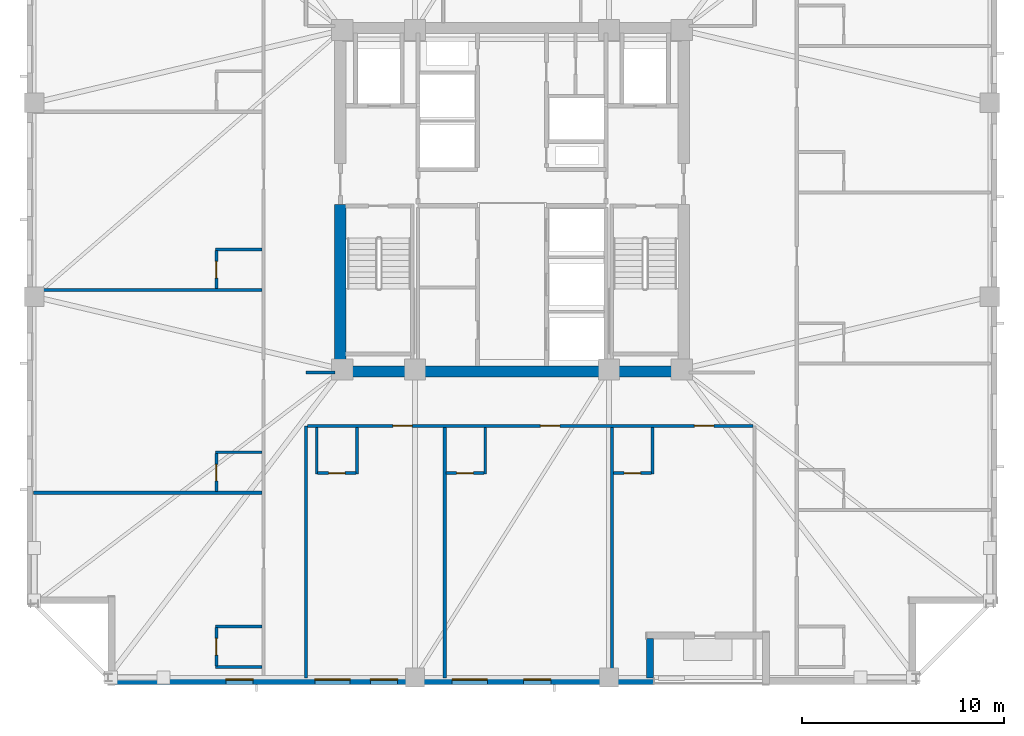
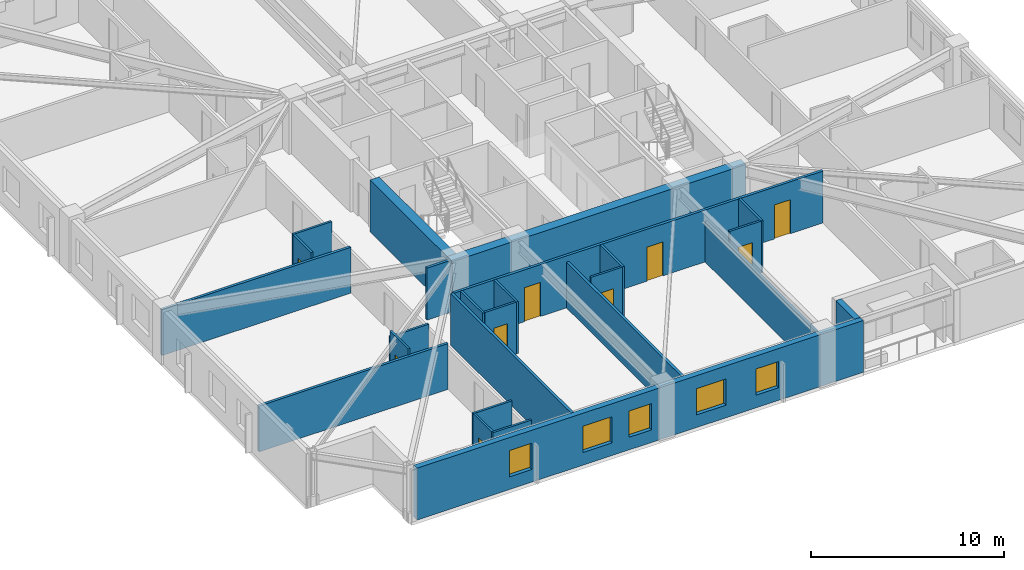
# One storey, part 2 of 11: 25 walls, 9 doors, 5 windows, 14 openings.
"""IFC4 building model written with IfcOpenShell, lengths in metres."""

from ifc_helpers import new_model, si_unit, direction, frame, frame_2d, origin, place, context, subcontext, project, spatial, rectangle, extrude, material, layer, layer_set, type_object, element, fill, save


model = new_model("IFC4")

# Units and contexts
model_context = context("Model", 3, precision=1e-05, world=origin(), true_north=direction((0.0, 1.0)))
body_context = subcontext(model_context, "Body", "Model", "MODEL_VIEW")
ifc_project = project(units=[si_unit("LENGTHUNIT", "METRE"), si_unit("AREAUNIT", "SQUARE_METRE"), si_unit("VOLUMEUNIT", "CUBIC_METRE"), si_unit("PLANEANGLEUNIT", "RADIAN"), si_unit("MASSUNIT", "GRAM", prefix="KILO")], contexts=[model_context])

# Site, building, storey
site_placement = place(None, origin())
site = spatial("IfcSite", under=ifc_project, at=site_placement, CompositionType="ELEMENT")
building_placement = place(site_placement, origin())
building = spatial("IfcBuilding", under=site, at=building_placement, Name="Cairnveth Concourse Tower", CompositionType="ELEMENT")
storey_placement = place(building_placement, frame((0.0, 0.0, 169.0)))
storey = spatial("IfcBuildingStorey", under=building, at=storey_placement, Name="L46", CompositionType="ELEMENT", Elevation=169.0)

# Walls
ifc_material_1 = material(Name="Gypsum Plasterboard Partition", Category="gypsum")
ifc_layer_1 = layer(ifc_material_1, 0.159912109375)
ifc_layer_set_1 = layer_set([ifc_layer_1], Name="Gypsum Plasterboard Partition")
wall_type_1 = type_object("IfcWallType", Name="ACOUSTIC PARTY WALL 180", PredefinedType="PARTITIONING", material=ifc_layer_set_1)
wall_1_placement = place(storey_placement, frame((41.800048828125, 15.324951171875, 0.0), z_axis=(0.0, 0.0, 1.0), x_axis=(0.0, 1.0, 0.0)))
element("IfcWall", 1, at=wall_1_placement, inside=storey, type_object=wall_type_1, Name="Interior Wall IW-L46-038", PredefinedType="PARTITIONING", context=body_context, shape_type="SweptSolid", body=[
    extrude(rectangle(XDim=12.47509765625, YDim=0.159912109375, at=frame_2d((6.237548828125, 0.0))), origin(), (0.0, 0.0, 1.0), 3.280029296875),
])
wall_2_placement = place(storey_placement, frame((41.800048828125, 30.449951171875, 0.0), z_axis=(0.0, 0.0, 1.0), x_axis=(1.0, 0.0, 0.0)))
element("IfcWall", 2, at=wall_2_placement, inside=storey, type_object=wall_type_1, Name="Interior Wall IW-L46-040", PredefinedType="PARTITIONING", context=body_context, shape_type="SweptSolid", body=[
    extrude(rectangle(XDim=1.43505859375, YDim=0.159912109375, at=frame_2d((0.717529296875, 0.0))), origin(), (0.0, 0.0, 1.0), 3.280029296875),
])

# Wall, openings, doors
wall_3_placement = place(storey_placement, frame((41.864990234375, 27.800048828125, 0.0), z_axis=(0.0, 0.0, 1.0), x_axis=(1.0, 0.0, 0.0)))
wall_3 = element("IfcWall", 3, at=wall_3_placement, inside=storey, type_object=wall_type_1, Name="Interior Wall IW-L46-047", PredefinedType="PARTITIONING", context=body_context, shape_type="SweptSolid", body=[
    extrude(rectangle(XDim=22.070068359375, YDim=0.159912109375, at=frame_2d((11.03515625, 0.0))), origin(), (0.0, 0.0, 1.0), 3.280029296875),
])
opening_1_placement = place(wall_3_placement, frame((4.232177734375, 0.0, 0.0)))
opening_1 = element("IfcOpeningElement", 4, at=opening_1_placement, cuts=wall_3, Name="Opening ID09", PredefinedType="OPENING", context=body_context, shape_type="SweptSolid", body=[
    extrude(rectangle(XDim=0.9599609375, YDim=2.14990234375, at=frame_2d((0.47998046875, 1.074951171875))), frame((0.0, 0.08984375, 0.0), z_axis=(0.0, -1.0, 0.0), x_axis=(1.0, 0.0, 0.0)), (0.0, 0.0, 1.0), 0.179931640625),
])
opening_2_placement = place(wall_3_placement, frame((11.544921875, 0.0, 0.0)))
opening_2 = element("IfcOpeningElement", 5, at=opening_2_placement, cuts=wall_3, Name="Opening ID09", PredefinedType="OPENING", context=body_context, shape_type="SweptSolid", body=[
    extrude(rectangle(XDim=0.9599609375, YDim=2.14990234375, at=frame_2d((0.47998046875, 1.074951171875))), frame((0.0, 0.08984375, 0.0), z_axis=(0.0, -1.0, 0.0), x_axis=(1.0, 0.0, 0.0)), (0.0, 0.0, 1.0), 0.179931640625),
])
opening_3_placement = place(wall_3_placement, frame((19.16796875, 0.0, 0.0)))
opening_3 = element("IfcOpeningElement", 6, at=opening_3_placement, cuts=wall_3, Name="Opening ID09", PredefinedType="OPENING", context=body_context, shape_type="SweptSolid", body=[
    extrude(rectangle(XDim=0.9599609375, YDim=2.14990234375, at=frame_2d((0.47998046875, 1.074951171875))), frame((0.0, 0.08984375, 0.0), z_axis=(0.0, -1.0, 0.0), x_axis=(1.0, 0.0, 0.0)), (0.0, 0.0, 1.0), 0.179931640625),
])
ifc_material_2 = material(Name="Solid Core Hardwood Timber Leaf", Category="wood")
door_type_1 = type_object("IfcDoorType", Name="HOTEL ENTRANCE DOOR 960X2150", OperationType="NOTDEFINED", PredefinedType="DOOR", material=ifc_material_2)
door_1_placement = place(opening_1_placement, origin())
door_1 = element("IfcDoor", 7, at=door_1_placement, inside=storey, type_object=door_type_1, Name="Hotel Room Door L46-S1", OperationType="SINGLE_SWING_RIGHT", OverallHeight=2.14990234375, OverallWidth=0.9599609375, PredefinedType="DOOR", context=body_context, shape_type="SweptSolid", body=[
    extrude(rectangle(XDim=0.9599609375, YDim=2.14990234375, at=frame_2d((0.47998046875, 1.074951171875))), frame((0.0, 0.02490234375, 0.0), z_axis=(0.0, -1.0, 0.0), x_axis=(1.0, 0.0, 0.0)), (0.0, 0.0, 1.0), 0.050048828125),
])
fill(opening_1, door_1)
door_2_placement = place(opening_2_placement, origin())
door_2 = element("IfcDoor", 8, at=door_2_placement, inside=storey, type_object=door_type_1, Name="Hotel Room Door L46-S2", OperationType="SINGLE_SWING_RIGHT", OverallHeight=2.14990234375, OverallWidth=0.9599609375, PredefinedType="DOOR", context=body_context, shape_type="SweptSolid", body=[
    extrude(rectangle(XDim=0.9599609375, YDim=2.14990234375, at=frame_2d((0.47998046875, 1.074951171875))), frame((0.0, 0.02490234375, 0.0), z_axis=(0.0, -1.0, 0.0), x_axis=(1.0, 0.0, 0.0)), (0.0, 0.0, 1.0), 0.050048828125),
])
fill(opening_2, door_2)
door_3_placement = place(opening_3_placement, origin())
door_3 = element("IfcDoor", 9, at=door_3_placement, inside=storey, type_object=door_type_1, Name="Hotel Room Door L46-S3", OperationType="SINGLE_SWING_RIGHT", OverallHeight=2.14990234375, OverallWidth=0.9599609375, PredefinedType="DOOR", context=body_context, shape_type="SweptSolid", body=[
    extrude(rectangle(XDim=0.9599609375, YDim=2.14990234375, at=frame_2d((0.47998046875, 1.074951171875))), frame((0.0, 0.02490234375, 0.0), z_axis=(0.0, -1.0, 0.0), x_axis=(1.0, 0.0, 0.0)), (0.0, 0.0, 1.0), 0.050048828125),
])
fill(opening_3, door_3)

# Walls
wall_4_placement = place(storey_placement, frame((48.67431640625, 15.324951171875, 0.0), z_axis=(0.0, 0.0, 1.0), x_axis=(0.0, 1.0, 0.0)))
element("IfcWall", 10, at=wall_4_placement, inside=storey, type_object=wall_type_1, Name="Interior Wall IW-L46-053", PredefinedType="PARTITIONING", context=body_context, shape_type="SweptSolid", body=[
    extrude(rectangle(XDim=12.39501953125, YDim=0.159912109375, at=frame_2d((6.197509765625, 0.0))), origin(), (0.0, 0.0, 1.0), 2.89599609375),
])
wall_5_placement = place(storey_placement, frame((56.955810546875, 15.324951171875, 0.0), z_axis=(0.0, 0.0, 1.0), x_axis=(0.0, 1.0, 0.0)))
element("IfcWall", 11, at=wall_5_placement, inside=storey, type_object=wall_type_1, Name="Interior Wall IW-L46-056", PredefinedType="PARTITIONING", context=body_context, shape_type="SweptSolid", body=[
    extrude(rectangle(XDim=12.39501953125, YDim=0.159912109375, at=frame_2d((6.197509765625, 0.0))), origin(), (0.0, 0.0, 1.0), 2.554931640625),
])
for number, where, z_axis, x_axis, name in (
    (12, (28.324951171875, 24.492919921875, 0.0), (0.0, 0.0, 1.0), (1.0, 0.0, 0.0), "Interior Wall IW-L46-062"),
    (13, (28.324951171875, 34.53271484375, 0.0), (0.0, 0.0, 1.0), (1.0, 0.0, 0.0), "Interior Wall IW-L46-065"),
):
    element("IfcWall", number, at=place(storey_placement, frame(where, z_axis=z_axis, x_axis=x_axis)), inside=storey, type_object=wall_type_1, Name=name, PredefinedType="PARTITIONING", context=body_context, shape_type="SweptSolid", body=[
        extrude(rectangle(XDim=11.295166015625, YDim=0.159912109375, at=frame_2d((5.6474609375, 0.0))), origin(), (0.0, 0.0, 1.0), 2.89599609375),
    ])
ifc_material_3 = material(Name="Concrete N80 (80 MPa)", Category="concrete")
ifc_layer_2 = layer(ifc_material_3, 0.550048828125)
ifc_layer_set_2 = layer_set([ifc_layer_2], Name="Concrete N80 (80 MPa)")
wall_type_2 = type_object("IfcWallType", Name="CORE SHEAR WALL 550", PredefinedType="SHEAR", material=ifc_layer_set_2)
wall_6_placement = place(storey_placement, frame((43.22509765625, 30.5, 0.0), z_axis=(0.0, 0.0, 1.0), x_axis=(1.0, 0.0, 0.0)))
element("IfcWall", 14, at=wall_6_placement, inside=storey, type_object=wall_type_2, Name="Core South Shear Wall L46", PredefinedType="SHEAR", context=body_context, shape_type="SweptSolid", body=[
    extrude(rectangle(XDim=17.5498046875, YDim=0.550048828125, at=frame_2d((8.77490234375, 0.0))), origin(), (0.0, 0.0, 1.0), 3.280029296875),
])
wall_7_placement = place(storey_placement, frame((43.5, 30.764892578125, 0.0), z_axis=(0.0, 0.0, 1.0), x_axis=(0.0, 1.0, 0.0)))
element("IfcWall", 15, at=wall_7_placement, inside=storey, type_object=wall_type_2, Name="Core West Shear Wall S L46", PredefinedType="SHEAR", context=body_context, shape_type="SweptSolid", body=[
    extrude(rectangle(XDim=7.985107421875, YDim=0.550048828125, at=frame_2d((3.99267578125, 0.0))), origin(), (0.0, 0.0, 1.0), 3.280029296875),
])
ifc_layer_3 = layer(ifc_material_1, 0.1298828125)
ifc_layer_set_3 = layer_set([ifc_layer_3], Name="Gypsum Plasterboard Partition")
wall_type_3 = type_object("IfcWallType", Name="WET AREA PARTITION 140", PredefinedType="PLUMBINGWALL", material=ifc_layer_set_3)
for number, where, z_axis, x_axis, name in (
    (16, (42.330078125, 25.419921875, 0.0), (0.0, 0.0, 1.0), (0.0, 1.0, 0.0), "Interior Wall IW-L46-050"),
    (17, (44.330078125, 25.419921875, 0.0), (0.0, 0.0, 1.0), (0.0, 1.0, 0.0), "Interior Wall IW-L46-051"),
):
    element("IfcWall", number, at=place(storey_placement, frame(where, z_axis=z_axis, x_axis=x_axis)), inside=storey, type_object=wall_type_3, Name=name, PredefinedType="PLUMBINGWALL", context=body_context, shape_type="SweptSolid", body=[
        extrude(rectangle(XDim=2.315185546875, YDim=0.1298828125, at=frame_2d((1.15771484375, 0.0))), origin(), (0.0, 0.0, 1.0), 3.280029296875),
    ])

# Wall, opening, door
wall_8_placement = place(storey_placement, frame((42.3798828125, 25.469970703125, 0.0), z_axis=(0.0, 0.0, 1.0), x_axis=(1.0, 0.0, 0.0)))
wall_8 = element("IfcWall", 18, at=wall_8_placement, inside=storey, type_object=wall_type_3, Name="Interior Wall IW-L46-052", PredefinedType="PLUMBINGWALL", context=body_context, shape_type="SweptSolid", body=[
    extrude(rectangle(XDim=1.900146484375, YDim=0.1298828125, at=frame_2d((0.9501953125, 0.0))), origin(), (0.0, 0.0, 1.0), 3.280029296875),
])
opening_4_placement = place(wall_8_placement, frame((0.5400390625, 0.0, 0.0)))
opening_4 = element("IfcOpeningElement", 19, at=opening_4_placement, cuts=wall_8, Name="Opening ID22", PredefinedType="OPENING", context=body_context, shape_type="SweptSolid", body=[
    extrude(rectangle(XDim=0.820068359375, YDim=2.10009765625, at=frame_2d((0.41015625, 1.050048828125))), frame((0.0, 0.074951171875, 0.0), z_axis=(0.0, -1.0, 0.0), x_axis=(1.0, 0.0, 0.0)), (0.0, 0.0, 1.0), 0.14990234375),
])
door_type_2 = type_object("IfcDoorType", Name="INTERIOR WC DOOR 820X2100", OperationType="NOTDEFINED", PredefinedType="DOOR", material=ifc_material_2)
door_4_placement = place(opening_4_placement, origin())
door_4 = element("IfcDoor", 20, at=door_4_placement, inside=storey, type_object=door_type_2, Name="En-Suite Door L46-S1", OperationType="SINGLE_SWING_LEFT", OverallHeight=2.10009765625, OverallWidth=0.820068359375, PredefinedType="DOOR", context=body_context, shape_type="SweptSolid", body=[
    extrude(rectangle(XDim=0.820068359375, YDim=2.10009765625, at=frame_2d((0.41015625, 1.050048828125))), frame((0.0, 0.02490234375, 0.0), z_axis=(0.0, -1.0, 0.0), x_axis=(1.0, 0.0, 0.0)), (0.0, 0.0, 1.0), 0.050048828125),
])
fill(opening_4, door_4)

# Wall
wall_9_placement = place(storey_placement, frame((50.67431640625, 25.419921875, 0.0), z_axis=(0.0, 0.0, 1.0), x_axis=(0.0, 1.0, 0.0)))
element("IfcWall", 21, at=wall_9_placement, inside=storey, type_object=wall_type_3, Name="Interior Wall IW-L46-054", PredefinedType="PLUMBINGWALL", context=body_context, shape_type="SweptSolid", body=[
    extrude(rectangle(XDim=2.315185546875, YDim=0.1298828125, at=frame_2d((1.15771484375, 0.0))), origin(), (0.0, 0.0, 1.0), 3.280029296875),
])

# Wall, opening, door
wall_10_placement = place(storey_placement, frame((48.7392578125, 25.469970703125, 0.0), z_axis=(0.0, 0.0, 1.0), x_axis=(1.0, 0.0, 0.0)))
wall_10 = element("IfcWall", 22, at=wall_10_placement, inside=storey, type_object=wall_type_3, Name="Interior Wall IW-L46-055", PredefinedType="PLUMBINGWALL", context=body_context, shape_type="SweptSolid", body=[
    extrude(rectangle(XDim=1.885009765625, YDim=0.1298828125, at=frame_2d((0.9423828125, 0.0))), origin(), (0.0, 0.0, 1.0), 3.280029296875),
])
opening_5_placement = place(wall_10_placement, frame((0.52490234375, 0.0, 0.0)))
opening_5 = element("IfcOpeningElement", 23, at=opening_5_placement, cuts=wall_10, Name="Opening ID22", PredefinedType="OPENING", context=body_context, shape_type="SweptSolid", body=[
    extrude(rectangle(XDim=0.820068359375, YDim=2.10009765625, at=frame_2d((0.41015625, 1.050048828125))), frame((0.0, 0.074951171875, 0.0), z_axis=(0.0, -1.0, 0.0), x_axis=(1.0, 0.0, 0.0)), (0.0, 0.0, 1.0), 0.14990234375),
])
door_5_placement = place(opening_5_placement, origin())
door_5 = element("IfcDoor", 24, at=door_5_placement, inside=storey, type_object=door_type_2, Name="En-Suite Door L46-S2", OperationType="SINGLE_SWING_LEFT", OverallHeight=2.10009765625, OverallWidth=0.820068359375, PredefinedType="DOOR", context=body_context, shape_type="SweptSolid", body=[
    extrude(rectangle(XDim=0.820068359375, YDim=2.10009765625, at=frame_2d((0.41015625, 1.050048828125))), frame((0.0, 0.02490234375, 0.0), z_axis=(0.0, -1.0, 0.0), x_axis=(1.0, 0.0, 0.0)), (0.0, 0.0, 1.0), 0.050048828125),
])
fill(opening_5, door_5)

# Wall
wall_11_placement = place(storey_placement, frame((58.955810546875, 25.419921875, 0.0), z_axis=(0.0, 0.0, 1.0), x_axis=(0.0, 1.0, 0.0)))
element("IfcWall", 25, at=wall_11_placement, inside=storey, type_object=wall_type_3, Name="Interior Wall IW-L46-057", PredefinedType="PLUMBINGWALL", context=body_context, shape_type="SweptSolid", body=[
    extrude(rectangle(XDim=2.315185546875, YDim=0.1298828125, at=frame_2d((1.15771484375, 0.0))), origin(), (0.0, 0.0, 1.0), 3.280029296875),
])

# Wall, opening, door
wall_12_placement = place(storey_placement, frame((57.020751953125, 25.469970703125, 0.0), z_axis=(0.0, 0.0, 1.0), x_axis=(1.0, 0.0, 0.0)))
wall_12 = element("IfcWall", 26, at=wall_12_placement, inside=storey, type_object=wall_type_3, Name="Interior Wall IW-L46-058", PredefinedType="PLUMBINGWALL", context=body_context, shape_type="SweptSolid", body=[
    extrude(rectangle(XDim=1.885009765625, YDim=0.1298828125, at=frame_2d((0.9423828125, 0.0))), origin(), (0.0, 0.0, 1.0), 3.280029296875),
])
opening_6_placement = place(wall_12_placement, frame((0.52490234375, 0.0, 0.0)))
opening_6 = element("IfcOpeningElement", 27, at=opening_6_placement, cuts=wall_12, Name="Opening ID22", PredefinedType="OPENING", context=body_context, shape_type="SweptSolid", body=[
    extrude(rectangle(XDim=0.820068359375, YDim=2.10009765625, at=frame_2d((0.41015625, 1.050048828125))), frame((0.0, 0.074951171875, 0.0), z_axis=(0.0, -1.0, 0.0), x_axis=(1.0, 0.0, 0.0)), (0.0, 0.0, 1.0), 0.14990234375),
])
door_6_placement = place(opening_6_placement, origin())
door_6 = element("IfcDoor", 28, at=door_6_placement, inside=storey, type_object=door_type_2, Name="En-Suite Door L46-S3", OperationType="SINGLE_SWING_LEFT", OverallHeight=2.10009765625, OverallWidth=0.820068359375, PredefinedType="DOOR", context=body_context, shape_type="SweptSolid", body=[
    extrude(rectangle(XDim=0.820068359375, YDim=2.10009765625, at=frame_2d((0.41015625, 1.050048828125))), frame((0.0, 0.02490234375, 0.0), z_axis=(0.0, -1.0, 0.0), x_axis=(1.0, 0.0, 0.0)), (0.0, 0.0, 1.0), 0.050048828125),
])
fill(opening_6, door_6)

# Walls
for number, where, z_axis, x_axis, name in (
    (29, (37.320068359375, 15.8701171875, 0.0), (0.0, 0.0, 1.0), (1.0, 0.0, 0.0), "Interior Wall IW-L46-059"),
    (30, (37.320068359375, 17.8701171875, 0.0), (0.0, 0.0, 1.0), (1.0, 0.0, 0.0), "Interior Wall IW-L46-060"),
):
    element("IfcWall", number, at=place(storey_placement, frame(where, z_axis=z_axis, x_axis=x_axis)), inside=storey, type_object=wall_type_3, Name=name, PredefinedType="PLUMBINGWALL", context=body_context, shape_type="SweptSolid", body=[
        extrude(rectangle(XDim=2.31494140625, YDim=0.1298828125, at=frame_2d((1.157470703125, 0.0))), origin(), (0.0, 0.0, 1.0), 3.280029296875),
    ])

# Wall, opening, door
wall_13_placement = place(storey_placement, frame((37.3701171875, 15.919921875, 0.0), z_axis=(0.0, 0.0, 1.0), x_axis=(0.0, 1.0, 0.0)))
wall_13 = element("IfcWall", 31, at=wall_13_placement, inside=storey, type_object=wall_type_3, Name="Interior Wall IW-L46-061", PredefinedType="PLUMBINGWALL", context=body_context, shape_type="SweptSolid", body=[
    extrude(rectangle(XDim=1.900146484375, YDim=0.1298828125, at=frame_2d((0.9501953125, 0.0))), origin(), (0.0, 0.0, 1.0), 3.280029296875),
])
opening_7_placement = place(wall_13_placement, frame((0.5400390625, 0.0, 0.0)))
opening_7 = element("IfcOpeningElement", 32, at=opening_7_placement, cuts=wall_13, Name="Opening ID22", PredefinedType="OPENING", context=body_context, shape_type="SweptSolid", body=[
    extrude(rectangle(XDim=0.820068359375, YDim=2.10009765625, at=frame_2d((0.41015625, 1.050048828125))), frame((0.0, 0.074951171875, 0.0), z_axis=(0.0, -1.0, 0.0), x_axis=(1.0, 0.0, 0.0)), (0.0, 0.0, 1.0), 0.14990234375),
])
door_7_placement = place(opening_7_placement, origin())
door_7 = element("IfcDoor", 33, at=door_7_placement, inside=storey, type_object=door_type_2, Name="En-Suite Door L46-W1", OperationType="SINGLE_SWING_LEFT", OverallHeight=2.10009765625, OverallWidth=0.820068359375, PredefinedType="DOOR", context=body_context, shape_type="SweptSolid", body=[
    extrude(rectangle(XDim=0.820068359375, YDim=2.10009765625, at=frame_2d((0.41015625, 1.050048828125))), frame((0.0, 0.02490234375, 0.0), z_axis=(0.0, -1.0, 0.0), x_axis=(1.0, 0.0, 0.0)), (0.0, 0.0, 1.0), 0.050048828125),
])
fill(opening_7, door_7)

# Wall
wall_14_placement = place(storey_placement, frame((37.320068359375, 26.492919921875, 0.0), z_axis=(0.0, 0.0, 1.0), x_axis=(1.0, 0.0, 0.0)))
element("IfcWall", 34, at=wall_14_placement, inside=storey, type_object=wall_type_3, Name="Interior Wall IW-L46-063", PredefinedType="PLUMBINGWALL", context=body_context, shape_type="SweptSolid", body=[
    extrude(rectangle(XDim=2.31494140625, YDim=0.1298828125, at=frame_2d((1.157470703125, 0.0))), origin(), (0.0, 0.0, 1.0), 2.89599609375),
])

# Wall, opening, door
wall_15_placement = place(storey_placement, frame((37.3701171875, 24.557861328125, 0.0), z_axis=(0.0, 0.0, 1.0), x_axis=(0.0, 1.0, 0.0)))
wall_15 = element("IfcWall", 35, at=wall_15_placement, inside=storey, type_object=wall_type_3, Name="Interior Wall IW-L46-064", PredefinedType="PLUMBINGWALL", context=body_context, shape_type="SweptSolid", body=[
    extrude(rectangle(XDim=1.885009765625, YDim=0.1298828125, at=frame_2d((0.9423828125, 0.0))), origin(), (0.0, 0.0, 1.0), 3.280029296875),
])
opening_8_placement = place(wall_15_placement, frame((0.52490234375, 0.0, 0.0)))
opening_8 = element("IfcOpeningElement", 36, at=opening_8_placement, cuts=wall_15, Name="Opening ID22", PredefinedType="OPENING", context=body_context, shape_type="SweptSolid", body=[
    extrude(rectangle(XDim=0.820068359375, YDim=2.10009765625, at=frame_2d((0.41015625, 1.050048828125))), frame((0.0, 0.074951171875, 0.0), z_axis=(0.0, -1.0, 0.0), x_axis=(1.0, 0.0, 0.0)), (0.0, 0.0, 1.0), 0.14990234375),
])
door_8_placement = place(opening_8_placement, origin())
door_8 = element("IfcDoor", 37, at=door_8_placement, inside=storey, type_object=door_type_2, Name="En-Suite Door L46-W2", OperationType="SINGLE_SWING_LEFT", OverallHeight=2.10009765625, OverallWidth=0.820068359375, PredefinedType="DOOR", context=body_context, shape_type="SweptSolid", body=[
    extrude(rectangle(XDim=0.820068359375, YDim=2.10009765625, at=frame_2d((0.41015625, 1.050048828125))), frame((0.0, 0.02490234375, 0.0), z_axis=(0.0, -1.0, 0.0), x_axis=(1.0, 0.0, 0.0)), (0.0, 0.0, 1.0), 0.050048828125),
])
fill(opening_8, door_8)

# Wall
wall_16_placement = place(storey_placement, frame((37.320068359375, 36.53271484375, 0.0), z_axis=(0.0, 0.0, 1.0), x_axis=(1.0, 0.0, 0.0)))
element("IfcWall", 38, at=wall_16_placement, inside=storey, type_object=wall_type_3, Name="Interior Wall IW-L46-066", PredefinedType="PLUMBINGWALL", context=body_context, shape_type="SweptSolid", body=[
    extrude(rectangle(XDim=2.31494140625, YDim=0.1298828125, at=frame_2d((1.157470703125, 0.0))), origin(), (0.0, 0.0, 1.0), 3.280029296875),
])

# Wall, opening, door
wall_17_placement = place(storey_placement, frame((37.3701171875, 34.59765625, 0.0), z_axis=(0.0, 0.0, 1.0), x_axis=(0.0, 1.0, 0.0)))
wall_17 = element("IfcWall", 39, at=wall_17_placement, inside=storey, type_object=wall_type_3, Name="Interior Wall IW-L46-067", PredefinedType="PLUMBINGWALL", context=body_context, shape_type="SweptSolid", body=[
    extrude(rectangle(XDim=1.885009765625, YDim=0.1298828125, at=frame_2d((0.9423828125, 0.0))), origin(), (0.0, 0.0, 1.0), 3.280029296875),
])
opening_9_placement = place(wall_17_placement, frame((0.52490234375, 0.0, 0.0)))
opening_9 = element("IfcOpeningElement", 40, at=opening_9_placement, cuts=wall_17, Name="Opening ID22", PredefinedType="OPENING", context=body_context, shape_type="SweptSolid", body=[
    extrude(rectangle(XDim=0.820068359375, YDim=2.10009765625, at=frame_2d((0.41015625, 1.050048828125))), frame((0.0, 0.074951171875, 0.0), z_axis=(0.0, -1.0, 0.0), x_axis=(1.0, 0.0, 0.0)), (0.0, 0.0, 1.0), 0.14990234375),
])
door_9_placement = place(opening_9_placement, origin())
door_9 = element("IfcDoor", 41, at=door_9_placement, inside=storey, type_object=door_type_2, Name="En-Suite Door L46-W3", OperationType="SINGLE_SWING_LEFT", OverallHeight=2.10009765625, OverallWidth=0.820068359375, PredefinedType="DOOR", context=body_context, shape_type="SweptSolid", body=[
    extrude(rectangle(XDim=0.820068359375, YDim=2.10009765625, at=frame_2d((0.41015625, 1.050048828125))), frame((0.0, 0.02490234375, 0.0), z_axis=(0.0, -1.0, 0.0), x_axis=(1.0, 0.0, 0.0)), (0.0, 0.0, 1.0), 0.050048828125),
])
fill(opening_9, door_9)

# Wall, openings, windows
ifc_material_4 = material(Name="Hawthorn Red-Ochre Fired Clay Brick Masonry", Category="masonry")
ifc_layer_4 = layer(ifc_material_4, 0.340087890625)
ifc_layer_set_4 = layer_set([ifc_layer_4], Name="Hawthorn Red-Ochre Fired Clay Brick Masonry")
wall_type_4 = type_object("IfcWallType", Name="ZONE 2 BRICK PIER SPANDREL WALL 340", PredefinedType="SOLIDWALL", material=ifc_layer_set_4)
wall_18_placement = place(storey_placement, frame((59.0, 15.169921875, 0.0), z_axis=(0.0, 0.0, 1.0), x_axis=(-1.0, 0.0, 0.0)))
wall_18 = element("IfcWall", 42, at=wall_18_placement, inside=storey, type_object=wall_type_4, Name="Exterior Wall EW-L46-S00", PredefinedType="SOLIDWALL", context=body_context, shape_type="SweptSolid", body=[
    extrude(rectangle(XDim=26.681884765625, YDim=0.340087890625, at=frame_2d((13.3408203125, 0.0))), origin(), (0.0, 0.0, 1.0), 3.280029296875),
])
opening_10_placement = place(wall_18_placement, frame((5.0732421875, 0.0, 0.800048828125)))
opening_10 = element("IfcOpeningElement", 43, at=opening_10_placement, cuts=wall_18, Name="Opening W02", PredefinedType="OPENING", context=body_context, shape_type="SweptSolid", body=[
    extrude(rectangle(XDim=1.35009765625, YDim=1.659912109375, at=frame_2d((0.675048828125, 0.830078125))), frame((0.0, 0.179931640625, 0.0), z_axis=(0.0, -1.0, 0.0), x_axis=(1.0, 0.0, 0.0)), (0.0, 0.0, 1.0), 0.360107421875),
])
opening_11_placement = place(wall_18_placement, frame((8.219482421875, 0.0, 0.800048828125)))
opening_11 = element("IfcOpeningElement", 44, at=opening_11_placement, cuts=wall_18, Name="Opening W06", PredefinedType="OPENING", context=body_context, shape_type="SweptSolid", body=[
    extrude(rectangle(XDim=1.75, YDim=1.659912109375, at=frame_2d((0.875, 0.830078125))), frame((0.0, 0.179931640625, 0.0), z_axis=(0.0, -1.0, 0.0), x_axis=(1.0, 0.0, 0.0)), (0.0, 0.0, 1.0), 0.360107421875),
])
opening_12_placement = place(wall_18_placement, frame((12.666015625, 0.0, 0.800048828125)))
opening_12 = element("IfcOpeningElement", 45, at=opening_12_placement, cuts=wall_18, Name="Opening W02", PredefinedType="OPENING", context=body_context, shape_type="SweptSolid", body=[
    extrude(rectangle(XDim=1.35009765625, YDim=1.659912109375, at=frame_2d((0.675048828125, 0.830078125))), frame((0.0, 0.179931640625, 0.0), z_axis=(0.0, -1.0, 0.0), x_axis=(1.0, 0.0, 0.0)), (0.0, 0.0, 1.0), 0.360107421875),
])
opening_13_placement = place(wall_18_placement, frame((15.012451171875, 0.0, 0.800048828125)))
opening_13 = element("IfcOpeningElement", 46, at=opening_13_placement, cuts=wall_18, Name="Opening W06", PredefinedType="OPENING", context=body_context, shape_type="SweptSolid", body=[
    extrude(rectangle(XDim=1.75, YDim=1.659912109375, at=frame_2d((0.875, 0.830078125))), frame((0.0, 0.179931640625, 0.0), z_axis=(0.0, -1.0, 0.0), x_axis=(1.0, 0.0, 0.0)), (0.0, 0.0, 1.0), 0.360107421875),
])
opening_14_placement = place(wall_18_placement, frame((19.808837890625, 0.0, 0.800048828125)))
opening_14 = element("IfcOpeningElement", 47, at=opening_14_placement, cuts=wall_18, Name="Opening W02", PredefinedType="OPENING", context=body_context, shape_type="SweptSolid", body=[
    extrude(rectangle(XDim=1.35009765625, YDim=1.659912109375, at=frame_2d((0.675048828125, 0.830078125))), frame((0.0, 0.179931640625, 0.0), z_axis=(0.0, -1.0, 0.0), x_axis=(1.0, 0.0, 0.0)), (0.0, 0.0, 1.0), 0.360107421875),
])
ifc_material_5 = material(Name="Double Glazed Low-E Clear Glass", Category="glass")
window_type_1 = type_object("IfcWindowType", Name="DEEP-SET GOTHIC LANCET WINDOW 1350X1800", PartitioningType="DOUBLE_PANEL_VERTICAL", PredefinedType="WINDOW", material=ifc_material_5)
window_1_placement = place(opening_10_placement, origin())
window_1 = element("IfcWindow", 48, at=window_1_placement, inside=storey, type_object=window_type_1, Name="Gothic Lancet Window L46-0-1", OverallHeight=1.659912109375, OverallWidth=1.35009765625, PartitioningType="SINGLE_PANEL", PredefinedType="WINDOW", context=body_context, shape_type="SweptSolid", body=[
    extrude(rectangle(XDim=1.35009765625, YDim=1.659912109375, at=frame_2d((0.675048828125, 0.830078125))), frame((0.0, -0.050048828125, 0.0), z_axis=(0.0, -1.0, 0.0), x_axis=(1.0, 0.0, 0.0)), (0.0, 0.0, 1.0), 0.06005859375),
])
fill(opening_10, window_1)
window_2_placement = place(opening_12_placement, origin())
window_2 = element("IfcWindow", 49, at=window_2_placement, inside=storey, type_object=window_type_1, Name="Gothic Lancet Window L46-0-3", OverallHeight=1.659912109375, OverallWidth=1.35009765625, PartitioningType="SINGLE_PANEL", PredefinedType="WINDOW", context=body_context, shape_type="SweptSolid", body=[
    extrude(rectangle(XDim=1.35009765625, YDim=1.659912109375, at=frame_2d((0.675048828125, 0.830078125))), frame((0.0, -0.050048828125, 0.0), z_axis=(0.0, -1.0, 0.0), x_axis=(1.0, 0.0, 0.0)), (0.0, 0.0, 1.0), 0.06005859375),
])
fill(opening_12, window_2)
window_3_placement = place(opening_14_placement, origin())
window_3 = element("IfcWindow", 50, at=window_3_placement, inside=storey, type_object=window_type_1, Name="Gothic Lancet Window L46-0-5", OverallHeight=1.659912109375, OverallWidth=1.35009765625, PartitioningType="SINGLE_PANEL", PredefinedType="WINDOW", context=body_context, shape_type="SweptSolid", body=[
    extrude(rectangle(XDim=1.35009765625, YDim=1.659912109375, at=frame_2d((0.675048828125, 0.830078125))), frame((0.0, -0.050048828125, 0.0), z_axis=(0.0, -1.0, 0.0), x_axis=(1.0, 0.0, 0.0)), (0.0, 0.0, 1.0), 0.06005859375),
])
fill(opening_14, window_3)
window_type_2 = type_object("IfcWindowType", Name="DEEP-SET HOTEL SUITE WINDOW 1750X1800", PartitioningType="DOUBLE_PANEL_VERTICAL", PredefinedType="WINDOW", material=ifc_material_5)
window_4_placement = place(opening_11_placement, origin())
window_4 = element("IfcWindow", 51, at=window_4_placement, inside=storey, type_object=window_type_2, Name="Gothic Lancet Window L46-0-2", OverallHeight=1.659912109375, OverallWidth=1.75, PartitioningType="SINGLE_PANEL", PredefinedType="WINDOW", context=body_context, shape_type="SweptSolid", body=[
    extrude(rectangle(XDim=1.75, YDim=1.659912109375, at=frame_2d((0.875, 0.830078125))), frame((0.0, -0.050048828125, 0.0), z_axis=(0.0, -1.0, 0.0), x_axis=(1.0, 0.0, 0.0)), (0.0, 0.0, 1.0), 0.06005859375),
])
fill(opening_11, window_4)
window_5_placement = place(opening_13_placement, origin())
window_5 = element("IfcWindow", 52, at=window_5_placement, inside=storey, type_object=window_type_2, Name="Gothic Lancet Window L46-0-4", OverallHeight=1.659912109375, OverallWidth=1.75, PartitioningType="SINGLE_PANEL", PredefinedType="WINDOW", context=body_context, shape_type="SweptSolid", body=[
    extrude(rectangle(XDim=1.75, YDim=1.659912109375, at=frame_2d((0.875, 0.830078125))), frame((0.0, -0.050048828125, 0.0), z_axis=(0.0, -1.0, 0.0), x_axis=(1.0, 0.0, 0.0)), (0.0, 0.0, 1.0), 0.06005859375),
])
fill(opening_13, window_5)

# Wall
wall_19_placement = place(storey_placement, frame((58.830078125, 17.27197265625, 0.0), z_axis=(0.0, 0.0, 1.0), x_axis=(0.0, -1.0, 0.0)))
element("IfcWall", 53, at=wall_19_placement, inside=storey, type_object=wall_type_4, Name="Exterior Wall EW-L46-S15", PredefinedType="SOLIDWALL", context=body_context, shape_type="SweptSolid", body=[
    extrude(rectangle(XDim=1.953857421875, YDim=0.340087890625, at=frame_2d((0.97705078125, 0.0))), origin(), (0.0, 0.0, 1.0), 3.280029296875),
])

save(model, "model.ifc")
